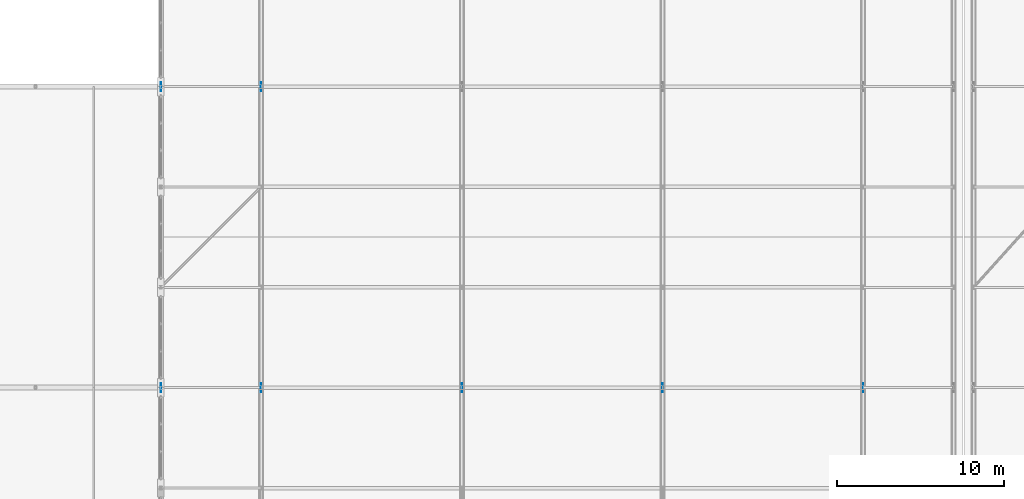
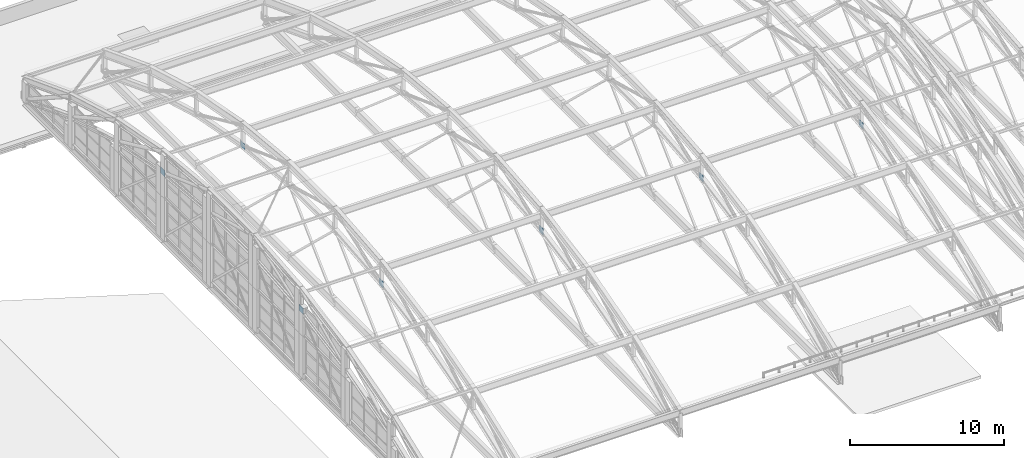
# One storey, part 178 of 204: 7 plates.
"""IFC4 building model written with IfcOpenShell, lengths in metres."""

from ifc_helpers import new_model, si_unit, direction, frame, origin, origin_2d, place, context, subcontext, project, spatial, rectangle, extrude, material, layer, layer_set, type_object, element, save


model = new_model("IFC4")

# Units and contexts
model_context = context("Model", 3, precision=1e-05, world=origin(), true_north=direction((0.0, 1.0)))
body_context = subcontext(model_context, "Body", "Model", "MODEL_VIEW")
ifc_project = project(units=[si_unit("LENGTHUNIT", "METRE"), si_unit("AREAUNIT", "SQUARE_METRE"), si_unit("VOLUMEUNIT", "CUBIC_METRE"), si_unit("PLANEANGLEUNIT", "RADIAN"), si_unit("MASSUNIT", "GRAM", prefix="KILO")], contexts=[model_context])

# Site, building, storey
site_placement = place(None, origin())
site = spatial("IfcSite", under=ifc_project, at=site_placement, CompositionType="ELEMENT")
building_placement = place(site_placement, origin())
building = spatial("IfcBuilding", under=site, at=building_placement, Name="Zilviju Railside Exhibition Hall", CompositionType="ELEMENT")
storey_placement = place(building_placement, frame((0.0, 0.0, 21.0)))
storey = spatial("IfcBuildingStorey", under=building, at=storey_placement, Name="RF", CompositionType="ELEMENT", Elevation=21.0)

# Plates
ifc_material = material(Name="Steel S355ML", Category="steel")
ifc_layer_1 = layer(ifc_material, 0.02392578125)
ifc_layer_set_1 = layer_set([ifc_layer_1], Name="Steel S355ML")
plate_type_1 = type_object("IfcPlateType", Name="PLATE-GP-24", PredefinedType="SHEET", material=ifc_layer_set_1)
for number, where, z_axis, x_axis, name in (
    (1, (78.0, 102.0, 1.3056640625), (0.0, 0.0, 1.0), (1.0, 0.0, 0.0), "V2 Truss Node Gusset Plate X=78.0 N3"),
    (2, (84.0, 102.0, 1.3056640625), (0.0, 0.0, 1.0), (1.0, 0.0, 0.0), "V2 Truss Node Gusset Plate X=84.0 N3"),
    (3, (96.0, 102.0, 1.3056640625), (0.0, 0.0, 1.0), (1.0, 0.0, 0.0), "V2 Truss Node Gusset Plate X=96.0 N3"),
    (4, (108.0, 102.0, 1.3056640625), (0.0, 0.0, 1.0), (1.0, 0.0, 0.0), "V2 Truss Node Gusset Plate X=108.0 N3"),
    (5, (120.0, 102.0, 1.3056640625), (0.0, 0.0, 1.0), (1.0, 0.0, 0.0), "V2 Truss Node Gusset Plate X=120.0 N3"),
):
    element("IfcPlate", number, at=place(storey_placement, frame(where, z_axis=z_axis, x_axis=x_axis)), inside=storey, type_object=plate_type_1, Name=name, PredefinedType="SHEET", context=body_context, shape_type="SweptSolid", body=[
        extrude(rectangle(XDim=0.02392578125, YDim=0.550048828125, at=origin_2d()), origin(), (0.0, 0.0, 1.0), 0.5),
    ])
ifc_layer_2 = layer(ifc_material, 0.028076171875)
ifc_layer_set_2 = layer_set([ifc_layer_2], Name="Steel S355ML")
plate_type_2 = type_object("IfcPlateType", Name="PLATE-GP-28", PredefinedType="SHEET", material=ifc_layer_set_2)
for number, where, z_axis, x_axis, name in (
    (6, (78.0, 120.0, 1.3056640625), (0.0, 0.0, 1.0), (1.0, 0.0, 0.0), "V2 Truss Node Gusset Plate X=78.0 N6"),
    (7, (84.0, 120.0, 1.3056640625), (0.0, 0.0, 1.0), (1.0, 0.0, 0.0), "V2 Truss Node Gusset Plate X=84.0 N6"),
):
    element("IfcPlate", number, at=place(storey_placement, frame(where, z_axis=z_axis, x_axis=x_axis)), inside=storey, type_object=plate_type_2, Name=name, PredefinedType="SHEET", context=body_context, shape_type="SweptSolid", body=[
        extrude(rectangle(XDim=0.028076171875, YDim=0.550048828125, at=origin_2d()), origin(), (0.0, 0.0, 1.0), 0.5),
    ])

save(model, "model.ifc")
